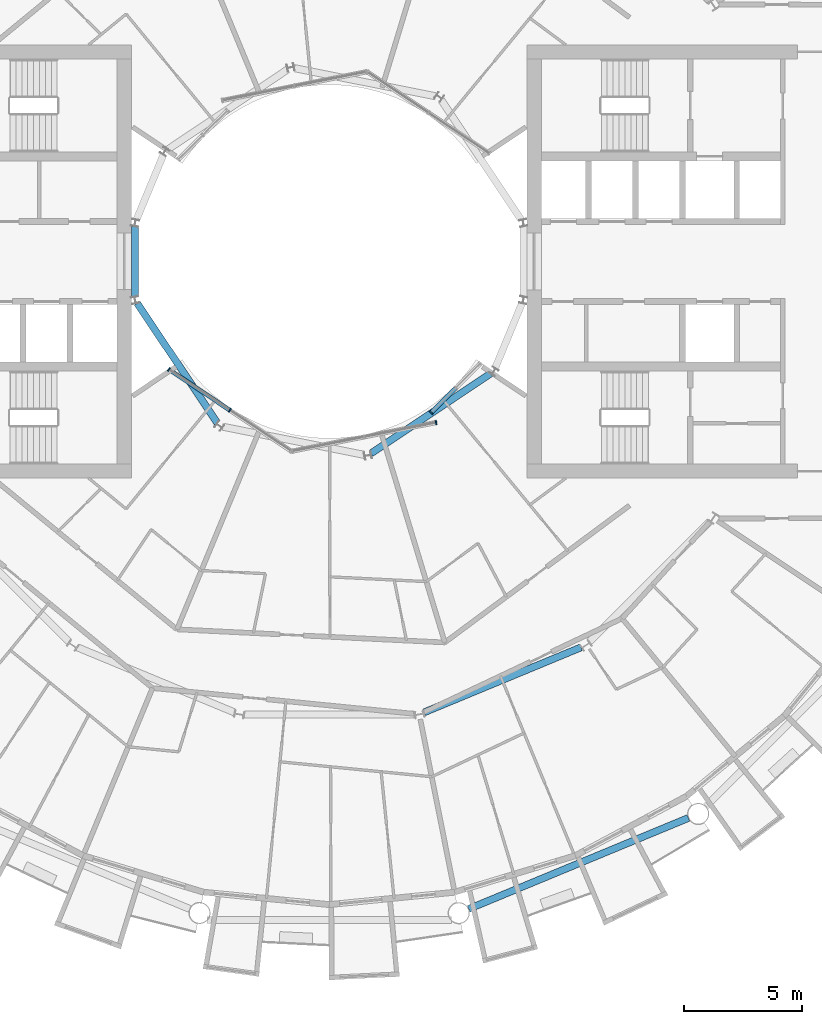
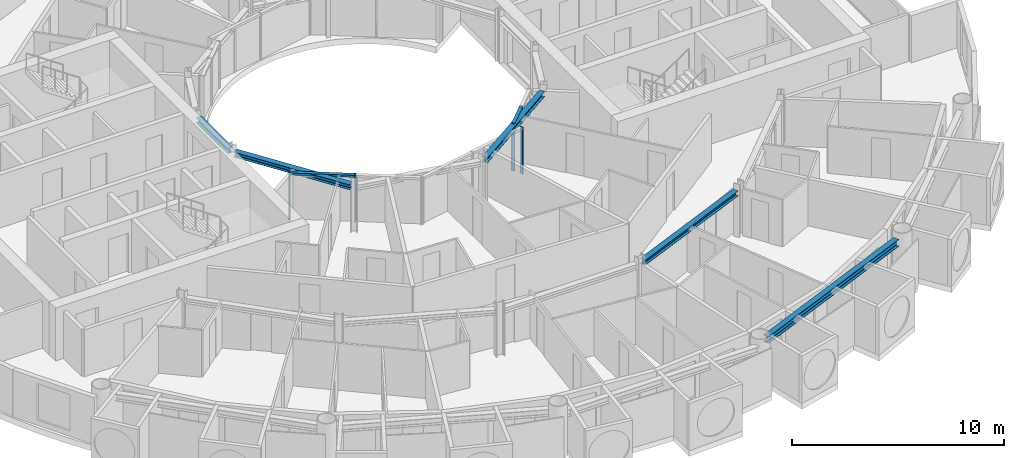
# One storey, part 6 of 27: 6 members, 5 beams, 3 elements without a shape of their own.
"""IFC4 building model written with IfcOpenShell, lengths in metres."""

from ifc_helpers import new_model, si_unit, direction, frame, origin, origin_2d, place, context, subcontext, project, spatial, rectangle, i_section, extrude, material, layer, layer_set, material_profile, profile_set, type_object, element, aggregate, save


model = new_model("IFC4")

# Units and contexts
model_context = context("Model", 3, precision=1e-05, world=origin(), true_north=direction((0.0, 1.0)))
body_context = subcontext(model_context, "Body", "Model", "MODEL_VIEW")
ifc_project = project(units=[si_unit("LENGTHUNIT", "METRE"), si_unit("AREAUNIT", "SQUARE_METRE"), si_unit("VOLUMEUNIT", "CUBIC_METRE"), si_unit("PLANEANGLEUNIT", "RADIAN"), si_unit("MASSUNIT", "GRAM", prefix="KILO")], contexts=[model_context])

# Site, building, storey
site_placement = place(None, origin())
site = spatial("IfcSite", under=ifc_project, at=site_placement, CompositionType="ELEMENT")
building_placement = place(site_placement, origin())
building = spatial("IfcBuilding", under=site, at=building_placement, Name="Maasbend Ring Residences", CompositionType="ELEMENT")
storey_placement = place(building_placement, frame((0.0, 0.0, 114.699951171875)))
storey = spatial("IfcBuildingStorey", under=building, at=storey_placement, Name="L32", CompositionType="ELEMENT", Elevation=114.699951171875)

# Curtain wall, members
ifc_material_1 = material(Name="Aluminium and clear glass", Category="aluminium")
ifc_layer = layer(ifc_material_1, 0.179931640625)
ifc_layer_set = layer_set([ifc_layer], Name="CW-W")
curtain_wall_type = type_object("IfcCurtainWallType", Name="CW-W", PredefinedType="NOTDEFINED", material=ifc_layer_set)
curtain_wall_1_placement = place(storey_placement, origin())
curtain_wall_1 = element("IfcCurtainWall", 1, at=curtain_wall_1_placement, inside=storey, type_object=curtain_wall_type, Name="Well curtain wall S1", PredefinedType="NOTDEFINED")
ifc_material_2 = material(Name="Aluminium 6063-T6", Category="aluminium")
ifc_material_profile_1 = material_profile(ifc_material_2, rectangle(XDim=0.179931640625, YDim=0.06005859375, at=origin_2d()), Name="AL 180x60")
ifc_profile_set_1 = profile_set([ifc_material_profile_1], Name="Aluminium 6063-T6")
member_type_1 = type_object("IfcMemberType", Name="CWM-W", PredefinedType="MULLION", material=ifc_profile_set_1)
member_1_placement = place(storey_placement, frame((-6.805908203125, -4.580810546875, 0.0), z_axis=(0.0, 0.0, 1.0), x_axis=(0.55557023302, 0.831469612303, 0.0)))
member_1 = element("IfcMember", 2, at=member_1_placement, type_object=member_type_1, Name="Mullion well face", PredefinedType="MULLION", context=body_context, shape_type="SweptSolid", body=[
    extrude(rectangle(XDim=0.179931640625, YDim=0.06005859375, at=origin_2d()), origin(), (0.0, 0.0, 1.0), 2.699951171875),
])
member_2_placement = place(storey_placement, frame((-4.216796875, -6.310791015625, 0.0), z_axis=(0.0, 0.0, 1.0), x_axis=(0.55557023302, 0.831469612303, 0.0)))
member_2 = element("IfcMember", 3, at=member_2_placement, type_object=member_type_1, Name="Mullion well face", PredefinedType="MULLION", context=body_context, shape_type="SweptSolid", body=[
    extrude(rectangle(XDim=0.179931640625, YDim=0.06005859375, at=origin_2d()), origin(), (0.0, 0.0, 1.0), 2.699951171875),
])

# Curtain wall, member
curtain_wall_2_placement = place(storey_placement, origin())
curtain_wall_2 = element("IfcCurtainWall", 4, at=curtain_wall_2_placement, inside=storey, type_object=curtain_wall_type, Name="Well curtain wall S2", PredefinedType="NOTDEFINED")
member_3_placement = place(storey_placement, frame((4.53466796875, -6.836669921875, 0.0), z_axis=(0.0, 0.0, 1.0), x_axis=(-0.195090322016, 0.980785280403, 0.0)))
member_3 = element("IfcMember", 5, at=member_3_placement, type_object=member_type_1, Name="Mullion well face", PredefinedType="MULLION", context=body_context, shape_type="SweptSolid", body=[
    extrude(rectangle(XDim=0.179931640625, YDim=0.06005859375, at=origin_2d()), origin(), (0.0, 0.0, 1.0), 2.699951171875),
])
aggregate(curtain_wall_2, [member_3])

curtain_wall_3_placement = place(storey_placement, origin())
curtain_wall_3 = element("IfcCurtainWall", 6, at=curtain_wall_3_placement, inside=storey, type_object=curtain_wall_type, Name="Well curtain wall S3", PredefinedType="NOTDEFINED")
member_4_placement = place(storey_placement, frame((4.320556640625, -6.413330078125, 0.0), z_axis=(0.0, 0.0, 1.0), x_axis=(-0.707106781187, 0.707106781187, 0.0)))
member_4 = element("IfcMember", 7, at=member_4_placement, type_object=member_type_1, Name="Mullion well face", PredefinedType="MULLION", context=body_context, shape_type="SweptSolid", body=[
    extrude(rectangle(XDim=0.179931640625, YDim=0.06005859375, at=origin_2d()), origin(), (0.0, 0.0, 1.0), 2.699951171875),
])

# Member
ifc_material_3 = material(Name="Aluminium 6063-T6", Category="aluminium")
ifc_material_profile_2 = material_profile(ifc_material_3, rectangle(XDim=0.179931640625, YDim=0.1201171875, at=origin_2d()), Name="AL 180x120")
ifc_profile_set_2 = profile_set([ifc_material_profile_2], Name="Aluminium 6063-T6")
member_type_2 = type_object("IfcMemberType", Name="CWT-W", PredefinedType="USERDEFINED", material=ifc_profile_set_2)
member_5_placement = place(storey_placement, frame((-6.781005859375, -4.59765625, 2.64013671875), z_axis=(0.831496422459, -0.555530106689, 0.0), x_axis=(0.555530106689, 0.831496422459, 0.0)))
member_5 = element("IfcMember", 8, at=member_5_placement, type_object=member_type_2, Name="Transom well face", ObjectType="TRANSOM", PredefinedType="USERDEFINED", context=body_context, shape_type="SweptSolid", body=[
    extrude(rectangle(XDim=0.179931640625, YDim=0.1201171875, at=origin_2d()), origin(), (0.0, 0.0, 1.0), 3.053955078125),
])

aggregate(curtain_wall_1, [member_1, member_2, member_5])

member_6_placement = place(storey_placement, frame((4.341796875, -6.39208984375, 2.64013671875), z_axis=(0.707106781187, 0.707106781187, 0.0), x_axis=(-0.707106781187, 0.707106781187, 0.0)))
member_6 = element("IfcMember", 9, at=member_6_placement, type_object=member_type_2, Name="Transom well face", ObjectType="TRANSOM", PredefinedType="USERDEFINED", context=body_context, shape_type="SweptSolid", body=[
    extrude(rectangle(XDim=0.179931640625, YDim=0.1201171875, at=origin_2d()), origin(), (0.0, 0.0, 1.0), 1.419677734375),
])

aggregate(curtain_wall_3, [member_4, member_6])

# Beams
ifc_material_4 = material(Name="Steel S355J2", Category="steel")
ifc_material_profile_3 = material_profile(ifc_material_4, i_section(OverallWidth=0.300048828125, OverallDepth=0.2900390625, WebThickness=0.008544921875, FlangeThickness=0.013916015625, FilletRadius=0.027099609375, at=origin_2d()), Name="HEA 300")
ifc_profile_set_3 = profile_set([ifc_material_profile_3], Name="Steel S355J2")
beam_type_1 = type_object("IfcBeamType", Name="Corridor ring beam HEA 300", PredefinedType="BEAM", material=ifc_profile_set_3)
beam_1_placement = place(storey_placement, frame((4.02734375, -19.13916015625, 2.554931640625), z_axis=(0.923877693919, 0.382687871089, 0.0), x_axis=(-0.382687871089, 0.923877693919, 0.0)))
element("IfcBeam", 10, at=beam_1_placement, inside=storey, type_object=beam_type_1, Name="Corridor ring beam", PredefinedType="BEAM", context=body_context, shape_type="SweptSolid", body=[
    extrude(i_section(OverallWidth=0.300048828125, OverallDepth=0.2900390625, WebThickness=0.008544921875, FlangeThickness=0.013916015625, FilletRadius=0.027099609375, at=origin_2d()), origin(), (0.0, 0.0, 1.0), 7.20703125),
])
ifc_material_5 = material(Name="Steel S355J2", Category="steel")
ifc_material_profile_4 = material_profile(ifc_material_5, i_section(OverallWidth=0.300048828125, OverallDepth=0.39990234375, WebThickness=0.013427734375, FlangeThickness=0.02392578125, FilletRadius=0.027099609375, at=origin_2d()), Name="HEB 400")
ifc_profile_set_4 = profile_set([ifc_material_profile_4], Name="Steel S355J2")
beam_type_2 = type_object("IfcBeamType", Name="Spandrel ring beam HEB 400", PredefinedType="SPANDREL", material=ifc_profile_set_4)
beam_2_placement = place(storey_placement, frame((5.923583984375, -27.483154296875, 2.5), z_axis=(0.92388529709, 0.382669515144, 0.0), x_axis=(-0.382669515144, 0.92388529709, 0.0)))
element("IfcBeam", 11, at=beam_2_placement, inside=storey, type_object=beam_type_2, Name="Spandrel ring beam", PredefinedType="SPANDREL", context=body_context, shape_type="SweptSolid", body=[
    extrude(i_section(OverallWidth=0.300048828125, OverallDepth=0.39990234375, WebThickness=0.013427734375, FlangeThickness=0.02392578125, FilletRadius=0.027099609375, at=origin_2d()), origin(), (0.0, 0.0, 1.0), 10.089111328125),
])
ifc_material_6 = material(Name="Steel S355J2", Category="steel")
ifc_material_profile_5 = material_profile(ifc_material_6, i_section(OverallWidth=0.300048828125, OverallDepth=0.2900390625, WebThickness=0.008544921875, FlangeThickness=0.013916015625, FilletRadius=0.027099609375, at=origin_2d()), Name="HEA 300")
ifc_profile_set_5 = profile_set([ifc_material_profile_5], Name="Steel S355J2")
beam_type_3 = type_object("IfcBeamType", Name="Well edge beam HEA 300", PredefinedType="BEAM", material=ifc_profile_set_5)
beam_3_placement = place(storey_placement, frame((-8.238525390625, 1.48583984375, 2.554931640625), z_axis=(0.0, -1.0, 0.0), x_axis=(1.0, 0.0, 0.0)))
element("IfcBeam", 12, at=beam_3_placement, inside=storey, type_object=beam_type_3, Name="Well edge beam", PredefinedType="BEAM", context=body_context, shape_type="SweptSolid", body=[
    extrude(i_section(OverallWidth=0.300048828125, OverallDepth=0.2900390625, WebThickness=0.008544921875, FlangeThickness=0.013916015625, FilletRadius=0.027099609375, at=origin_2d()), origin(), (0.0, 0.0, 1.0), 2.9716796875),
])
for number, where, z_axis, x_axis, name in (
    (13, (-8.1484375, -1.773681640625, 2.554931640625), (0.555558236289, -0.831477628137, 0.0), (0.831477628137, 0.555558236289, 0.0), "Well edge beam"),
    (14, (1.773681640625, -8.1484375, 2.554931640625), (0.831477628137, 0.555558236289, 0.0), (-0.555558236289, 0.831477628137, 0.0), "Well edge beam"),
):
    element("IfcBeam", number, at=place(storey_placement, frame(where, z_axis=z_axis, x_axis=x_axis)), inside=storey, type_object=beam_type_3, Name=name, PredefinedType="BEAM", context=body_context, shape_type="SweptSolid", body=[
        extrude(i_section(OverallWidth=0.300048828125, OverallDepth=0.2900390625, WebThickness=0.008544921875, FlangeThickness=0.013916015625, FilletRadius=0.027099609375, at=origin_2d()), origin(), (0.0, 0.0, 1.0), 6.1044921875),
    ])

save(model, "model.ifc")
